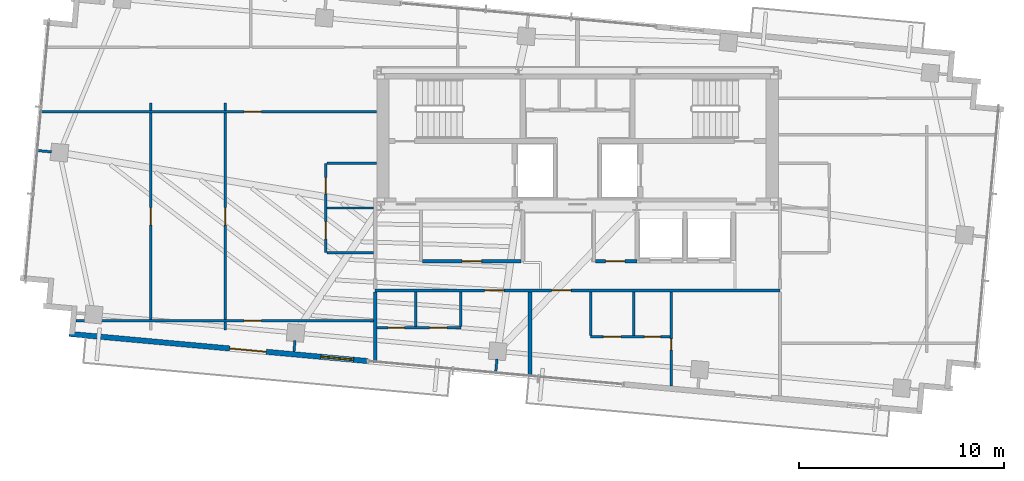
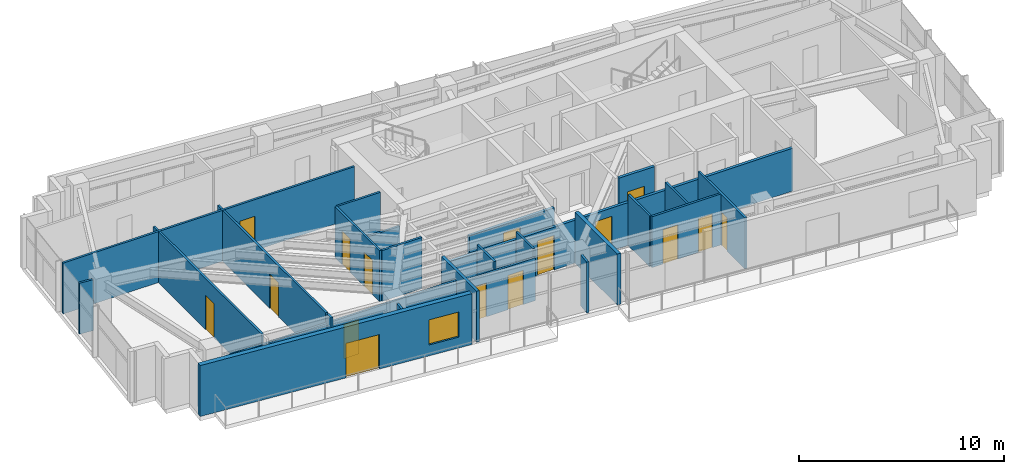
# One storey, part 16 of 22: 27 walls, 16 doors, 1 window, 17 openings.
"""IFC4 building model written with IfcOpenShell, lengths in metres."""

import ifcopenshell
import ifcopenshell.guid

model = None  # the IFC model being written
_history = None  # IfcOwnerHistory: only IFC2X3 demands one
_inside = {}  # id of a spatial element -> (the spatial element, [elements in it])
_under = {}  # id of a project, library or spatial element -> (it, [spatial elements below it])
_declared = {}  # id of a project -> (the project, [libraries it declares])
_typed = {}  # id of a type object -> (the type object, [elements of that type])
_made_of = {}  # id of a material, layer set ... -> (it, [elements and type objects made of it])


def new_model(schema):
    """Start an empty IFC model of exactly this schema.

    Asked for "IFC4X3", IfcOpenShell would pick the latest addendum, in which some entities
    have other attributes; the version numbers below select the first issue.
    IFC2X3 requires an IfcOwnerHistory on every rooted entity: one is made here for all.
    """
    global model, _history
    if schema == "IFC4X3":
        model = ifcopenshell.file(schema_version=(4, 3, 0, 0))
    else:
        model = ifcopenshell.file(schema=schema)
    _inside.clear()
    _under.clear()
    _declared.clear()
    _typed.clear()
    _made_of.clear()
    _history = None
    if model.schema == "IFC2X3":
        org = make("IfcOrganization", Name="unknown")
        user = make(
            "IfcPersonAndOrganization",
            ThePerson=make("IfcPerson", FamilyName="unknown"),
            TheOrganization=org,
        )
        app = make(
            "IfcApplication",
            ApplicationDeveloper=org,
            Version="unknown",
            ApplicationFullName="unknown",
            ApplicationIdentifier="unknown",
        )
        _history = make(
            "IfcOwnerHistory",
            OwningUser=user,
            OwningApplication=app,
            ChangeAction="ADDED",
            CreationDate=0,
        )
    return model


def make(cls, **values):
    """One entity of the class cls with the attributes given. An attribute that is None is left unset."""
    return model.create_entity(
        cls, **{name: value for name, value in values.items() if value is not None}
    )


def rooted(cls, **values):
    """An entity with a GlobalId (a new one), such as an element, a storey or a relation."""
    return make(cls, GlobalId=ifcopenshell.guid.new(), OwnerHistory=_history, **values)


def si_unit(unit_type, name, prefix=None):
    """IfcSIUnit, for example si_unit("LENGTHUNIT", "METRE", prefix="MILLI")."""
    return make("IfcSIUnit", UnitType=unit_type, Prefix=prefix, Name=name)


def assignment(units):
    """IfcUnitAssignment: the units of a project."""
    return None if units is None else make("IfcUnitAssignment", Units=units)


def point(xyz):
    """IfcCartesianPoint."""
    return None if xyz is None else make("IfcCartesianPoint", Coordinates=xyz)


def direction(xyz):
    """IfcDirection."""
    return None if xyz is None else make("IfcDirection", DirectionRatios=xyz)


def frame(location, z_axis=None, x_axis=None):
    """IfcAxis2Placement3D, a coordinate frame: its origin and axes. An axis left out is left unset."""
    return make(
        "IfcAxis2Placement3D",
        Location=point(location),
        Axis=direction(z_axis),
        RefDirection=direction(x_axis),
    )


def frame_2d(location, x_axis=None):
    """IfcAxis2Placement2D, a coordinate frame in the plane: its origin and x axis."""
    return make(
        "IfcAxis2Placement2D", Location=point(location), RefDirection=direction(x_axis)
    )


def origin():
    """The frame at (0, 0, 0) with its axes left unset."""
    return frame((0.0, 0.0, 0.0))


def place(relative_to, where):
    """IfcLocalPlacement: puts the frame where relative to a parent placement (None: the world)."""
    return make(
        "IfcLocalPlacement", PlacementRelTo=relative_to, RelativePlacement=where
    )


def context(
    kind, dimensions, precision=None, world=None, true_north=None, identifier=None
):
    """IfcGeometricRepresentationContext, for example the 3D "Model" context."""
    return make(
        "IfcGeometricRepresentationContext",
        ContextIdentifier=identifier,
        ContextType=kind,
        CoordinateSpaceDimension=dimensions,
        Precision=precision,
        WorldCoordinateSystem=world,
        TrueNorth=true_north,
    )


def subcontext(parent, identifier, kind, view, scale=None):
    """IfcGeometricRepresentationSubContext, for example "Body" below "Model"."""
    return make(
        "IfcGeometricRepresentationSubContext",
        ContextIdentifier=identifier,
        ContextType=kind,
        ParentContext=parent,
        TargetScale=scale,
        TargetView=view,
    )


def project(units=None, contexts=None):
    """IfcProject with its units and contexts."""
    return rooted(
        "IfcProject",
        Name="project",
        RepresentationContexts=contexts,
        UnitsInContext=assignment(units),
    )


def spatial(cls, under=None, at=None, **own):
    """A site, building, storey or space (cls), placed at a placement, below another one or the project."""
    s = rooted(cls, ObjectPlacement=at, **own)
    if under is not None:
        _under.setdefault(under.id(), (under, []))[1].append(s)
    return s


def profile(cls, at=None, kind="AREA", **sizes):
    """A parametric profile (cls). Its sizes go by their IFC names, for example OverallWidth=200.0."""
    return make(cls, ProfileType=kind, Position=at, **sizes)


def rectangle(**sizes):
    """IfcRectangleProfileDef."""
    return profile("IfcRectangleProfileDef", **sizes)


def extrude(swept, where, along, depth):
    """IfcExtrudedAreaSolid: the profile swept, set in the frame where, extruded along a direction by depth."""
    return make(
        "IfcExtrudedAreaSolid",
        SweptArea=swept,
        Position=where,
        ExtrudedDirection=direction(along),
        Depth=depth,
    )


def shape(context_of_items, identifier, shape_type, items):
    """IfcShapeRepresentation: the items that make up one representation, for example the "Body"."""
    return make(
        "IfcShapeRepresentation",
        ContextOfItems=context_of_items,
        RepresentationIdentifier=identifier,
        RepresentationType=shape_type,
        Items=items,
    )


def source(mapping_origin, context_of_items, identifier, shape_type, items):
    """IfcRepresentationMap: a shape defined once, which mapped items show again and again."""
    return make(
        "IfcRepresentationMap",
        MappingOrigin=mapping_origin,
        MappedRepresentation=shape(context_of_items, identifier, shape_type, items),
    )


def transform(
    local_origin,
    x_axis=None,
    y_axis=None,
    z_axis=None,
    scale=None,
    scale2=None,
    scale3=None,
    uniform=True,
):
    """IfcCartesianTransformationOperator3D, or its non-uniform kind. x_axis, y_axis, z_axis: its Axis1, 2, 3."""
    if uniform:
        return make(
            "IfcCartesianTransformationOperator3D",
            Axis1=direction(x_axis),
            Axis2=direction(y_axis),
            LocalOrigin=point(local_origin),
            Scale=scale,
            Axis3=direction(z_axis),
        )
    return make(
        "IfcCartesianTransformationOperator3DnonUniform",
        Axis1=direction(x_axis),
        Axis2=direction(y_axis),
        LocalOrigin=point(local_origin),
        Scale=scale,
        Axis3=direction(z_axis),
        Scale2=scale2,
        Scale3=scale3,
    )


def mapped(mapping_source, mapping_target):
    """IfcMappedItem: shows the shape of a source again, moved by a transform."""
    return make(
        "IfcMappedItem", MappingSource=mapping_source, MappingTarget=mapping_target
    )


def material(Name=None, Category=None):
    """IfcMaterial."""
    return make("IfcMaterial", Name=Name, Category=Category)


def layer(
    of_material, thickness, ventilated=None, Name=None, Category=None, Priority=None
):
    """IfcMaterialLayer: one layer of a wall or slab, of a material (None: an air gap)."""
    return make(
        "IfcMaterialLayer",
        Material=of_material,
        LayerThickness=thickness,
        IsVentilated=ventilated,
        Name=Name,
        Category=Category,
        Priority=Priority,
    )


def layer_set(layers, Name=None):
    """IfcMaterialLayerSet."""
    return make("IfcMaterialLayerSet", MaterialLayers=layers, LayerSetName=Name)


def made_of(thing, what):
    """Note that an element or type object is made of a material, layer set ...; save() writes the relation."""
    if what is not None:
        _made_of.setdefault(what.id(), (what, []))[1].append(thing)
    return thing


def type_object(cls, material=None, **own):
    """A type object (cls), such as IfcWallType, which elements share."""
    return made_of(rooted(cls, **own), material)


def type_shapes(of_type, sources):
    """Give a type object the sources (RepresentationMaps) that its elements show as mapped items."""
    of_type.RepresentationMaps = sources


def element(
    cls,
    number,
    at=None,
    inside=None,
    cuts=None,
    type_object=None,
    material=None,
    context=None,
    identifier="Body",
    shape_type=None,
    held_by="IfcProductDefinitionShape",
    body=None,
    shapes=None,
    **own,
):
    """One element of the class cls, such as IfcWall. Its Tag is "e" and its number.

    at: its placement. inside: the storey or other place that contains it. cuts: it is an
    opening in that element (IfcRelVoidsElement). A single representation is given by context,
    identifier, shape_type and body (its items); several are given by shapes. held_by: the class
    of the entity that holds the representations. save() writes the other relations.
    """
    e = rooted(cls, Tag="e%d" % number, ObjectPlacement=at, **own)
    if body is not None:
        shapes = [shape(context, identifier, shape_type, body)]
    if shapes is not None:
        e.Representation = make(held_by, Representations=shapes)
    if inside is not None:
        _inside.setdefault(inside.id(), (inside, []))[1].append(e)
    if cuts is not None:
        rooted(
            "IfcRelVoidsElement", RelatingBuildingElement=cuts, RelatedOpeningElement=e
        )
    if type_object is not None:
        _typed.setdefault(type_object.id(), (type_object, []))[1].append(e)
    return made_of(e, material)


def fill(opening, filler):
    """IfcRelFillsElement: the door or window that sits in an opening."""
    return rooted(
        "IfcRelFillsElement",
        RelatingOpeningElement=opening,
        RelatedBuildingElement=filler,
    )


def aggregate(whole, parts):
    """IfcRelAggregates: a whole, such as a stair, and the parts it consists of."""
    return rooted("IfcRelAggregates", RelatingObject=whole, RelatedObjects=parts)


def save(model, path):
    """Write the relations noted so far, then the file.

    IfcRelAggregates (storeys below a building ...), IfcRelContainedInSpatialStructure (elements
    in a storey), IfcRelDefinesByType, IfcRelAssociatesMaterial and IfcRelDeclares: one each for
    every whole, place, type object, material and project.
    """
    for whole, parts in _under.values():
        aggregate(whole, parts)
    for where, things in _inside.values():
        rooted(
            "IfcRelContainedInSpatialStructure",
            RelatedElements=things,
            RelatingStructure=where,
        )
    for kind, things in _typed.values():
        rooted("IfcRelDefinesByType", RelatedObjects=things, RelatingType=kind)
    for what, things in _made_of.values():
        rooted("IfcRelAssociatesMaterial", RelatedObjects=things, RelatingMaterial=what)
    for by, libraries in _declared.values():
        rooted("IfcRelDeclares", RelatingContext=by, RelatedDefinitions=libraries)
    model.write(path)


model = new_model("IFC4")

# Units and contexts
model_context = context("Model", 3, precision=1e-05, world=origin(), true_north=direction((0.0, 1.0)))
body_context = subcontext(model_context, "Body", "Model", "MODEL_VIEW")
ifc_project = project(units=[si_unit("LENGTHUNIT", "METRE"), si_unit("AREAUNIT", "SQUARE_METRE"), si_unit("VOLUMEUNIT", "CUBIC_METRE"), si_unit("PLANEANGLEUNIT", "RADIAN"), si_unit("MASSUNIT", "GRAM", prefix="KILO")], contexts=[model_context])

# Site, building, storey
site_placement = place(None, origin())
site = spatial("IfcSite", under=ifc_project, at=site_placement, CompositionType="ELEMENT")
building_placement = place(site_placement, origin())
building = spatial("IfcBuilding", under=site, at=building_placement, Name="Astriad Promenade Condominiums", CompositionType="ELEMENT")
storey_placement = place(building_placement, frame((0.0, 0.0, 219.89990234375)))
storey = spatial("IfcBuildingStorey", under=building, at=storey_placement, Name="L63", CompositionType="ELEMENT", Elevation=219.89990234375)

# Wall, openings, doors
ifc_material_1 = material(Name="Fire-Rated Gypsum Partition")
ifc_layer_1 = layer(ifc_material_1, 0.159912109375)
ifc_layer_set_1 = layer_set([ifc_layer_1], Name="Fire-Rated Gypsum Partition")
wall_type_1 = type_object("IfcWallType", Name="WALL-CORR-160", PredefinedType="PARTITIONING", material=ifc_layer_set_1)
wall_1_placement = place(storey_placement, frame((26.1201171875, 13.280029296875, 0.0), z_axis=(0.0, 0.0, 1.0), x_axis=(1.0, 0.0, 0.0)))
wall_1 = element("IfcWall", 1, at=wall_1_placement, inside=storey, type_object=wall_type_1, Name="PT-COR-S-L63", PredefinedType="PARTITIONING", context=body_context, shape_type="SweptSolid", body=[
    extrude(rectangle(XDim=19.759765625, YDim=0.159912109375, at=frame_2d((9.8798828125, 0.0))), origin(), (0.0, 0.0, 1.0), 2.555908203125),
])
opening_1_placement = place(wall_1_placement, frame((5.344970703125, 0.0, 0.0)))
opening_1 = element("IfcOpeningElement", 2, at=opening_1_placement, cuts=wall_1, Name="Opening FD60-APT-095", PredefinedType="OPENING", context=body_context, shape_type="SweptSolid", body=[
    extrude(rectangle(XDim=0.949951171875, YDim=2.06005859375, at=frame_2d((0.47509765625, 1.030029296875))), frame((0.0, 0.08984375, 0.0), z_axis=(0.0, -1.0, 0.0), x_axis=(1.0, 0.0, 0.0)), (0.0, 0.0, 1.0), 0.179931640625),
])
opening_2_placement = place(wall_1_placement, frame((8.612060546875, 0.0, 0.0)))
opening_2 = element("IfcOpeningElement", 3, at=opening_2_placement, cuts=wall_1, Name="Opening FD60-APT-095", PredefinedType="OPENING", context=body_context, shape_type="SweptSolid", body=[
    extrude(rectangle(XDim=0.949951171875, YDim=2.06005859375, at=frame_2d((0.47509765625, 1.030029296875))), frame((0.0, 0.08984375, 0.0), z_axis=(0.0, -1.0, 0.0), x_axis=(1.0, 0.0, 0.0)), (0.0, 0.0, 1.0), 0.179931640625),
])
ifc_material_2 = material(Name="Solid-Core Acoustic Timber Residence Entry Door", Category="wood")
door_type_1 = type_object("IfcDoorType", Name="FD60-APT-095", OperationType="NOTDEFINED", PredefinedType="DOOR", material=ifc_material_2)
shared_shape_1 = source(origin(), body_context, "Body", "SweptSolid", [
    extrude(rectangle(XDim=0.949951171875, YDim=2.06005859375, at=frame_2d((0.47509765625, 1.030029296875))), frame((0.0, 0.02490234375, 0.0), z_axis=(0.0, -1.0, 0.0), x_axis=(1.0, 0.0, 0.0)), (0.0, 0.0, 1.0), 0.050048828125),
])
type_shapes(door_type_1, [shared_shape_1])
door_1_placement = place(opening_1_placement, origin())
door_1 = element("IfcDoor", 4, at=door_1_placement, inside=storey, type_object=door_type_1, Name="D-ENT-L63-S1", OperationType="SINGLE_SWING_RIGHT", OverallHeight=2.06005859375, OverallWidth=0.949951171875, PredefinedType="DOOR", context=body_context, shape_type="MappedRepresentation", body=[
    mapped(shared_shape_1, transform((0.0, 0.0, 0.0), scale=1.0)),
])
fill(opening_1, door_1)
door_2_placement = place(opening_2_placement, origin())
door_2 = element("IfcDoor", 5, at=door_2_placement, inside=storey, type_object=door_type_1, Name="D-ENT-L63-S2", OperationType="SINGLE_SWING_LEFT", OverallHeight=2.06005859375, OverallWidth=0.949951171875, PredefinedType="DOOR", context=body_context, shape_type="MappedRepresentation", body=[
    mapped(shared_shape_1, transform((0.0, 0.0, 0.0), scale=1.0)),
])
fill(opening_2, door_2)

# Wall
wall_2_placement = place(storey_placement, frame((26.1201171875, 9.75146484375, 0.0), z_axis=(0.0, 0.0, 1.0), x_axis=(0.0, 1.0, 0.0)))
element("IfcWall", 6, at=wall_2_placement, inside=storey, type_object=wall_type_1, Name="PT-COR-W-L63", PredefinedType="PARTITIONING", context=body_context, shape_type="SweptSolid", body=[
    extrude(rectangle(XDim=3.446533203125, YDim=0.159912109375, at=frame_2d((1.72314453125, 0.0))), origin(), (0.0, 0.0, 1.0), 3.0400390625),
])

# Wall, opening, door
wall_3_placement = place(storey_placement, frame((28.44189453125, 14.699951171875, 0.0), z_axis=(0.0, 0.0, 1.0), x_axis=(1.0, 0.0, 0.0)))
wall_3 = element("IfcWall", 7, at=wall_3_placement, inside=storey, type_object=wall_type_1, Name="PT-Z3REC-S-L63", PredefinedType="PARTITIONING", context=body_context, shape_type="SweptSolid", body=[
    extrude(rectangle(XDim=4.796142578125, YDim=0.159912109375, at=frame_2d((2.39794921875, 0.0))), origin(), (0.0, 0.0, 1.0), 2.555908203125),
])
opening_3_placement = place(wall_3_placement, frame((1.923095703125, 0.0, 0.0)))
opening_3 = element("IfcOpeningElement", 8, at=opening_3_placement, cuts=wall_3, Name="Opening FD60-APT-095", PredefinedType="OPENING", context=body_context, shape_type="SweptSolid", body=[
    extrude(rectangle(XDim=0.949951171875, YDim=2.06005859375, at=frame_2d((0.47509765625, 1.030029296875))), frame((0.0, 0.08984375, 0.0), z_axis=(0.0, -1.0, 0.0), x_axis=(1.0, 0.0, 0.0)), (0.0, 0.0, 1.0), 0.179931640625),
])
door_3_placement = place(opening_3_placement, origin())
door_3 = element("IfcDoor", 9, at=door_3_placement, inside=storey, type_object=door_type_1, Name="D-Z3R-L63", OperationType="SINGLE_SWING_RIGHT", OverallHeight=2.06005859375, OverallWidth=0.949951171875, PredefinedType="DOOR", context=body_context, shape_type="MappedRepresentation", body=[
    mapped(shared_shape_1, transform((0.0, 0.0, 0.0), scale=1.0)),
])
fill(opening_3, door_3)

wall_4_placement = place(storey_placement, frame((36.882080078125, 14.699951171875, 0.0), z_axis=(0.0, 0.0, 1.0), x_axis=(1.0, 0.0, 0.0)))
wall_4 = element("IfcWall", 10, at=wall_4_placement, inside=storey, type_object=wall_type_1, Name="PT-Z3R2-S-L63", PredefinedType="PARTITIONING", context=body_context, shape_type="SweptSolid", body=[
    extrude(rectangle(XDim=2.017822265625, YDim=0.159912109375, at=frame_2d((1.0087890625, 0.0))), origin(), (0.0, 0.0, 1.0), 3.0400390625),
])
opening_4_placement = place(wall_4_placement, frame((0.48291015625, 0.0, 0.0)))
opening_4 = element("IfcOpeningElement", 11, at=opening_4_placement, cuts=wall_4, Name="Opening FD60-APT-095", PredefinedType="OPENING", context=body_context, shape_type="SweptSolid", body=[
    extrude(rectangle(XDim=0.949951171875, YDim=2.06005859375, at=frame_2d((0.47509765625, 1.030029296875))), frame((0.0, 0.08984375, 0.0), z_axis=(0.0, -1.0, 0.0), x_axis=(1.0, 0.0, 0.0)), (0.0, 0.0, 1.0), 0.179931640625),
])
door_4_placement = place(opening_4_placement, origin())
door_4 = element("IfcDoor", 12, at=door_4_placement, inside=storey, type_object=door_type_1, Name="D-Z3N-L63", OperationType="SINGLE_SWING_LEFT", OverallHeight=2.06005859375, OverallWidth=0.949951171875, PredefinedType="DOOR", context=body_context, shape_type="MappedRepresentation", body=[
    mapped(shared_shape_1, transform((0.0, 0.0, 0.0), scale=1.0)),
])
fill(opening_4, door_4)

# Wall
ifc_material_3 = material(Name="Acoustic Double-Stud Gypsum Partition")
ifc_layer_2 = layer(ifc_material_3, 0.199951171875)
ifc_layer_set_2 = layer_set([ifc_layer_2], Name="Acoustic Double-Stud Gypsum Partition")
wall_type_2 = type_object("IfcWallType", Name="WALL-DEMISING-200", PredefinedType="PARTITIONING", material=ifc_layer_set_2)
wall_5_placement = place(storey_placement, frame((33.678955078125, 9.0634765625, 0.0), z_axis=(0.0, 0.0, 1.0), x_axis=(0.0, 1.0, 0.0)))
element("IfcWall", 13, at=wall_5_placement, inside=storey, type_object=wall_type_2, Name="PT-DEM-S1-L63", PredefinedType="PARTITIONING", context=body_context, shape_type="SweptSolid", body=[
    extrude(rectangle(XDim=4.134521484375, YDim=0.199951171875, at=frame_2d((2.0673828125, 0.0))), origin(), (0.0, 0.0, 1.0), 3.0400390625),
])

# Wall, openings, door, window
ifc_material_4 = material(Name="Precast concrete C50/60", Category="concrete")
ifc_layer_3 = layer(ifc_material_4, 0.260009765625)
ifc_layer_set_3 = layer_set([ifc_layer_3], Name="Precast concrete C50/60")
wall_type_3 = type_object("IfcWallType", Name="WALL-EXT-TWR-260", PredefinedType="STANDARD", material=ifc_layer_set_3)
wall_6_placement = place(storey_placement, frame((25.760986328125, 9.83447265625, 0.0), z_axis=(0.0, 0.0, 1.0), x_axis=(-0.995884584572, 0.090630536861, 0.0)))
wall_6 = element("IfcWall", 14, at=wall_6_placement, inside=storey, type_object=wall_type_3, Name="W-EXT-L63-S2", PredefinedType="STANDARD", context=body_context, shape_type="SweptSolid", body=[
    extrude(rectangle(XDim=14.630126953125, YDim=0.260009765625, at=frame_2d((7.31494140625, 0.0))), origin(), (0.0, 0.0, 1.0), 3.0400390625),
])
opening_5_placement = place(wall_6_placement, frame((4.969970703125, 0.0, 0.0)))
opening_5 = element("IfcOpeningElement", 15, at=opening_5_placement, cuts=wall_6, Name="Opening BD-1822-SLD", PredefinedType="OPENING", context=body_context, shape_type="SweptSolid", body=[
    extrude(rectangle(XDim=1.800048828125, YDim=2.06005859375, at=frame_2d((0.89990234375, 1.030029296875))), frame((0.0, 0.139892578125, 0.0), z_axis=(0.0, -1.0, 0.0), x_axis=(1.0, 0.0, 0.0)), (0.0, 0.0, 1.0), 0.280029296875),
])
opening_6_placement = place(wall_6_placement, frame((0.699951171875, 0.0, 0.64990234375)))
opening_6 = element("IfcOpeningElement", 16, at=opening_6_placement, cuts=wall_6, Name="Opening WIN-TWR-1620", PredefinedType="OPENING", context=body_context, shape_type="SweptSolid", body=[
    extrude(rectangle(XDim=1.60009765625, YDim=1.5, at=frame_2d((0.800048828125, 0.75))), frame((0.0, 0.139892578125, 0.0), z_axis=(0.0, -1.0, 0.0), x_axis=(1.0, 0.0, 0.0)), (0.0, 0.0, 1.0), 0.280029296875),
])
ifc_material_5 = material(Name="Thermally Broken Aluminium Sliding Balcony Door", Category="aluminium")
door_type_2 = type_object("IfcDoorType", Name="BD-1822-SLD", OperationType="NOTDEFINED", PredefinedType="DOOR", material=ifc_material_5)
shared_shape_2 = source(origin(), body_context, "Body", "SweptSolid", [
    extrude(rectangle(XDim=1.800048828125, YDim=2.06005859375, at=frame_2d((0.89990234375, 1.030029296875))), frame((0.0, 0.02490234375, 0.0), z_axis=(0.0, -1.0, 0.0), x_axis=(1.0, 0.0, 0.0)), (0.0, 0.0, 1.0), 0.050048828125),
])
type_shapes(door_type_2, [shared_shape_2])
door_5_placement = place(opening_5_placement, origin())
door_5 = element("IfcDoor", 17, at=door_5_placement, inside=storey, type_object=door_type_2, Name="BD-L63-SW", OperationType="SLIDING_TO_LEFT", OverallHeight=2.06005859375, OverallWidth=1.800048828125, PredefinedType="DOOR", context=body_context, shape_type="MappedRepresentation", body=[
    mapped(shared_shape_2, transform((0.0, 0.0, 0.0), scale=1.0)),
])
fill(opening_5, door_5)
ifc_material_6 = material(Name="Dark Tinted Triple-Glazed Aluminium Window", Category="aluminium")
window_type = type_object("IfcWindowType", Name="WIN-TWR-1620", PartitioningType="SINGLE_PANEL", PredefinedType="WINDOW", material=ifc_material_6)
shared_shape_3 = source(origin(), body_context, "Body", "SweptSolid", [
    extrude(rectangle(XDim=1.60009765625, YDim=1.5, at=frame_2d((0.800048828125, 0.75))), frame((0.0, 0.030029296875, 0.0), z_axis=(0.0, -1.0, 0.0), x_axis=(1.0, 0.0, 0.0)), (0.0, 0.0, 1.0), 0.06005859375),
])
type_shapes(window_type, [shared_shape_3])
window_placement = place(opening_6_placement, origin())
window = element("IfcWindow", 18, at=window_placement, inside=storey, type_object=window_type, Name="WIN-L63-SW", OverallHeight=1.5, OverallWidth=1.60009765625, PartitioningType="SINGLE_PANEL", PredefinedType="WINDOW", context=body_context, shape_type="MappedRepresentation", body=[
    mapped(shared_shape_3, transform((0.0, 0.0, 0.0), scale=1.0)),
])
fill(opening_6, window)

# Wall, openings, doors
ifc_material_7 = material(Name="Acoustic Metal-Stud Gypsum Partition")
ifc_layer_4 = layer(ifc_material_7, 0.1201171875)
ifc_layer_set_4 = layer_set([ifc_layer_4], Name="Acoustic Metal-Stud Gypsum Partition")
wall_type_4 = type_object("IfcWallType", Name="WALL-PART-120", PredefinedType="PARTITIONING", material=ifc_layer_set_4)
wall_7_placement = place(storey_placement, frame((26.201904296875, 11.455078125, 0.0), z_axis=(0.0, 0.0, 1.0), x_axis=(1.0, 0.0, 0.0)))
wall_7 = element("IfcWall", 19, at=wall_7_placement, inside=storey, type_object=wall_type_4, Name="PT-L63-S1-PS", PredefinedType="PARTITIONING", context=body_context, shape_type="SweptSolid", body=[
    extrude(rectangle(XDim=4.09814453125, YDim=0.1201171875, at=frame_2d((2.049072265625, 0.0))), origin(), (0.0, 0.0, 1.0), 2.555908203125),
])
opening_7_placement = place(wall_7_placement, frame((0.548095703125, 0.0, 0.0)))
opening_7 = element("IfcOpeningElement", 20, at=opening_7_placement, cuts=wall_7, Name="Opening D-WET-080", PredefinedType="OPENING", context=body_context, shape_type="SweptSolid", body=[
    extrude(rectangle(XDim=0.800048828125, YDim=2.02001953125, at=frame_2d((0.39990234375, 1.010009765625))), frame((0.0, 0.070068359375, 0.0), z_axis=(0.0, -1.0, 0.0), x_axis=(1.0, 0.0, 0.0)), (0.0, 0.0, 1.0), 0.14013671875),
])
opening_8_placement = place(wall_7_placement, frame((2.572998046875, 0.0, 0.0)))
opening_8 = element("IfcOpeningElement", 21, at=opening_8_placement, cuts=wall_7, Name="Opening D-INT-085", PredefinedType="OPENING", context=body_context, shape_type="SweptSolid", body=[
    extrude(rectangle(XDim=0.85009765625, YDim=2.050048828125, at=frame_2d((0.425048828125, 1.02490234375))), frame((0.0, 0.070068359375, 0.0), z_axis=(0.0, -1.0, 0.0), x_axis=(1.0, 0.0, 0.0)), (0.0, 0.0, 1.0), 0.14013671875),
])
ifc_material_8 = material(Name="Moisture-Resistant Timber Bathroom Door", Category="wood")
door_type_3 = type_object("IfcDoorType", Name="D-WET-080", OperationType="NOTDEFINED", PredefinedType="DOOR", material=ifc_material_8)
shared_shape_4 = source(origin(), body_context, "Body", "SweptSolid", [
    extrude(rectangle(XDim=0.800048828125, YDim=2.02001953125, at=frame_2d((0.39990234375, 1.010009765625))), frame((0.0, 0.02490234375, 0.0), z_axis=(0.0, -1.0, 0.0), x_axis=(1.0, 0.0, 0.0)), (0.0, 0.0, 1.0), 0.050048828125),
])
type_shapes(door_type_3, [shared_shape_4])
door_6_placement = place(opening_7_placement, origin())
door_6 = element("IfcDoor", 22, at=door_6_placement, inside=storey, type_object=door_type_3, Name="D-BTH-L63-S1", OperationType="SINGLE_SWING_LEFT", OverallHeight=2.02001953125, OverallWidth=0.800048828125, PredefinedType="DOOR", context=body_context, shape_type="MappedRepresentation", body=[
    mapped(shared_shape_4, transform((0.0, 0.0, 0.0), scale=1.0)),
])
fill(opening_7, door_6)
ifc_material_9 = material(Name="Painted Solid-Core Timber Room Door", Category="wood")
door_type_4 = type_object("IfcDoorType", Name="D-INT-085", OperationType="NOTDEFINED", PredefinedType="DOOR", material=ifc_material_9)
shared_shape_5 = source(origin(), body_context, "Body", "SweptSolid", [
    extrude(rectangle(XDim=0.85009765625, YDim=2.050048828125, at=frame_2d((0.425048828125, 1.02490234375))), frame((0.0, 0.02490234375, 0.0), z_axis=(0.0, -1.0, 0.0), x_axis=(1.0, 0.0, 0.0)), (0.0, 0.0, 1.0), 0.050048828125),
])
type_shapes(door_type_4, [shared_shape_5])
door_7_placement = place(opening_8_placement, origin())
door_7 = element("IfcDoor", 23, at=door_7_placement, inside=storey, type_object=door_type_4, Name="D-KIT-L63-S1", OperationType="SINGLE_SWING_RIGHT", OverallHeight=2.050048828125, OverallWidth=0.85009765625, PredefinedType="DOOR", context=body_context, shape_type="MappedRepresentation", body=[
    mapped(shared_shape_5, transform((0.0, 0.0, 0.0), scale=1.0)),
])
fill(opening_8, door_7)

# Walls
for number, where, z_axis, x_axis, name in (
    (24, (30.300048828125, 11.51708984375, 0.0), (0.0, 0.0, 1.0), (0.0, 1.0, 0.0), "PT-L63-S1-PK"),
    (25, (28.10009765625, 11.51708984375, 0.0), (0.0, 0.0, 1.0), (0.0, 1.0, 0.0), "PT-L63-S1-PB"),
):
    element("IfcWall", number, at=place(storey_placement, frame(where, z_axis=z_axis, x_axis=x_axis)), inside=storey, type_object=wall_type_4, Name=name, PredefinedType="PARTITIONING", context=body_context, shape_type="SweptSolid", body=[
        extrude(rectangle(XDim=1.680908203125, YDim=0.1201171875, at=frame_2d((0.84033203125, 0.0))), origin(), (0.0, 0.0, 1.0), 3.0400390625),
    ])

# Wall, opening, door
wall_8_placement = place(storey_placement, frame((40.583984375, 8.617919921875, 0.0), z_axis=(0.0, 0.0, 1.0), x_axis=(0.0, 1.0, 0.0)))
wall_8 = element("IfcWall", 26, at=wall_8_placement, inside=storey, type_object=wall_type_4, Name="PT-L63-S2-BD1", PredefinedType="PARTITIONING", context=body_context, shape_type="SweptSolid", body=[
    extrude(rectangle(XDim=4.580078125, YDim=0.1201171875, at=frame_2d((2.2900390625, 0.0))), origin(), (0.0, 0.0, 1.0), 3.0400390625),
])
opening_9_placement = place(wall_8_placement, frame((1.7470703125, 0.0, 0.0)))
opening_9 = element("IfcOpeningElement", 27, at=opening_9_placement, cuts=wall_8, Name="Opening D-AC-055", PredefinedType="OPENING", context=body_context, shape_type="SweptSolid", body=[
    extrude(rectangle(XDim=0.550048828125, YDim=2.0, at=frame_2d((0.27490234375, 1.0))), frame((0.0, 0.070068359375, 0.0), z_axis=(0.0, -1.0, 0.0), x_axis=(1.0, 0.0, 0.0)), (0.0, 0.0, 1.0), 0.14013671875),
])
ifc_material_10 = material(Name="Painted Timber Access Door", Category="wood")
door_type_5 = type_object("IfcDoorType", Name="D-AC-055", OperationType="NOTDEFINED", PredefinedType="DOOR", material=ifc_material_10)
shared_shape_6 = source(origin(), body_context, "Body", "SweptSolid", [
    extrude(rectangle(XDim=0.550048828125, YDim=2.0, at=frame_2d((0.27490234375, 1.0))), frame((0.0, 0.02490234375, 0.0), z_axis=(0.0, -1.0, 0.0), x_axis=(1.0, 0.0, 0.0)), (0.0, 0.0, 1.0), 0.050048828125),
])
type_shapes(door_type_5, [shared_shape_6])
door_8_placement = place(opening_9_placement, origin())
door_8 = element("IfcDoor", 28, at=door_8_placement, inside=storey, type_object=door_type_5, Name="D-BD1-L63-S2", OperationType="SINGLE_SWING_RIGHT", OverallHeight=2.0, OverallWidth=0.550048828125, PredefinedType="DOOR", context=body_context, shape_type="MappedRepresentation", body=[
    mapped(shared_shape_6, transform((0.0, 0.0, 0.0), scale=1.0)),
])
fill(opening_9, door_8)

# Wall, openings, doors
wall_9_placement = place(storey_placement, frame((36.634033203125, 11.030029296875, 0.0), z_axis=(0.0, 0.0, 1.0), x_axis=(1.0, 0.0, 0.0)))
wall_9 = element("IfcWall", 29, at=wall_9_placement, inside=storey, type_object=wall_type_4, Name="PT-L63-S2-PS", PredefinedType="PARTITIONING", context=body_context, shape_type="SweptSolid", body=[
    extrude(rectangle(XDim=3.887939453125, YDim=0.1201171875, at=frame_2d((1.94384765625, 0.0))), origin(), (0.0, 0.0, 1.0), 3.0400390625),
])
opening_10_placement = place(wall_9_placement, frame((0.625, 0.0, 0.0)))
opening_10 = element("IfcOpeningElement", 30, at=opening_10_placement, cuts=wall_9, Name="Opening D-INT-085", PredefinedType="OPENING", context=body_context, shape_type="SweptSolid", body=[
    extrude(rectangle(XDim=0.85009765625, YDim=2.050048828125, at=frame_2d((0.425048828125, 1.02490234375))), frame((0.0, 0.070068359375, 0.0), z_axis=(0.0, -1.0, 0.0), x_axis=(1.0, 0.0, 0.0)), (0.0, 0.0, 1.0), 0.14013671875),
])
opening_11_placement = place(wall_9_placement, frame((2.625, 0.0, 0.0)))
opening_11 = element("IfcOpeningElement", 31, at=opening_11_placement, cuts=wall_9, Name="Opening D-WET-080", PredefinedType="OPENING", context=body_context, shape_type="SweptSolid", body=[
    extrude(rectangle(XDim=0.800048828125, YDim=2.02001953125, at=frame_2d((0.39990234375, 1.010009765625))), frame((0.0, 0.070068359375, 0.0), z_axis=(0.0, -1.0, 0.0), x_axis=(1.0, 0.0, 0.0)), (0.0, 0.0, 1.0), 0.14013671875),
])
door_9_placement = place(opening_11_placement, origin())
door_9 = element("IfcDoor", 32, at=door_9_placement, inside=storey, type_object=door_type_3, Name="D-BTH-L63-S2", OperationType="SINGLE_SWING_RIGHT", OverallHeight=2.02001953125, OverallWidth=0.800048828125, PredefinedType="DOOR", context=body_context, shape_type="MappedRepresentation", body=[
    mapped(shared_shape_4, transform((0.0, 0.0, 0.0), scale=1.0)),
])
fill(opening_11, door_9)
door_10_placement = place(opening_10_placement, origin())
door_10 = element("IfcDoor", 33, at=door_10_placement, inside=storey, type_object=door_type_4, Name="D-KIT-L63-S2", OperationType="SINGLE_SWING_LEFT", OverallHeight=2.050048828125, OverallWidth=0.85009765625, PredefinedType="DOOR", context=body_context, shape_type="MappedRepresentation", body=[
    mapped(shared_shape_5, transform((0.0, 0.0, 0.0), scale=1.0)),
])
fill(opening_10, door_10)

# Walls
for number, where, z_axis, x_axis, name in (
    (34, (38.73388671875, 11.092041015625, 0.0), (0.0, 0.0, 1.0), (0.0, 1.0, 0.0), "PT-L63-S2-PBK"),
    (35, (36.634033203125, 11.092041015625, 0.0), (0.0, 0.0, 1.0), (0.0, 1.0, 0.0), "PT-L63-S2-PKW"),
):
    element("IfcWall", number, at=place(storey_placement, frame(where, z_axis=z_axis, x_axis=x_axis)), inside=storey, type_object=wall_type_4, Name=name, PredefinedType="PARTITIONING", context=body_context, shape_type="SweptSolid", body=[
        extrude(rectangle(XDim=2.10595703125, YDim=0.1201171875, at=frame_2d((1.052978515625, 0.0))), origin(), (0.0, 0.0, 1.0), 3.0400390625),
    ])

# Wall, openings, doors
wall_10_placement = place(storey_placement, frame((23.719970703125, 15.1298828125, 0.0), z_axis=(0.0, 0.0, 1.0), x_axis=(0.0, 1.0, 0.0)))
wall_10 = element("IfcWall", 36, at=wall_10_placement, inside=storey, type_object=wall_type_4, Name="PT-L63-W1-PV", PredefinedType="PARTITIONING", context=body_context, shape_type="SweptSolid", body=[
    extrude(rectangle(XDim=4.35009765625, YDim=0.1201171875, at=frame_2d((2.175048828125, 0.0))), origin(), (0.0, 0.0, 1.0), 3.0400390625),
])
opening_12_placement = place(wall_10_placement, frame((0.6630859375, 0.0, 0.0)))
opening_12 = element("IfcOpeningElement", 37, at=opening_12_placement, cuts=wall_10, Name="Opening D-INT-085", PredefinedType="OPENING", context=body_context, shape_type="SweptSolid", body=[
    extrude(rectangle(XDim=0.85009765625, YDim=2.050048828125, at=frame_2d((0.425048828125, 1.02490234375))), frame((0.0, 0.070068359375, 0.0), z_axis=(0.0, -1.0, 0.0), x_axis=(1.0, 0.0, 0.0)), (0.0, 0.0, 1.0), 0.14013671875),
])
opening_13_placement = place(wall_10_placement, frame((2.862060546875, 0.0, 0.0)))
opening_13 = element("IfcOpeningElement", 38, at=opening_13_placement, cuts=wall_10, Name="Opening D-WET-080", PredefinedType="OPENING", context=body_context, shape_type="SweptSolid", body=[
    extrude(rectangle(XDim=0.800048828125, YDim=2.02001953125, at=frame_2d((0.39990234375, 1.010009765625))), frame((0.0, 0.070068359375, 0.0), z_axis=(0.0, -1.0, 0.0), x_axis=(1.0, 0.0, 0.0)), (0.0, 0.0, 1.0), 0.14013671875),
])
door_11_placement = place(opening_13_placement, origin())
door_11 = element("IfcDoor", 39, at=door_11_placement, inside=storey, type_object=door_type_3, Name="D-BTH-L63-W1", OperationType="SINGLE_SWING_LEFT", OverallHeight=2.02001953125, OverallWidth=0.800048828125, PredefinedType="DOOR", context=body_context, shape_type="MappedRepresentation", body=[
    mapped(shared_shape_4, transform((0.0, 0.0, 0.0), scale=1.0)),
])
fill(opening_13, door_11)
door_12_placement = place(opening_12_placement, origin())
door_12 = element("IfcDoor", 40, at=door_12_placement, inside=storey, type_object=door_type_4, Name="D-KIT-L63-W1", OperationType="SINGLE_SWING_RIGHT", OverallHeight=2.050048828125, OverallWidth=0.85009765625, PredefinedType="DOOR", context=body_context, shape_type="MappedRepresentation", body=[
    mapped(shared_shape_5, transform((0.0, 0.0, 0.0), scale=1.0)),
])
fill(opening_12, door_12)

# Walls
wall_11_placement = place(storey_placement, frame((23.781982421875, 17.304931640625, 0.0), z_axis=(0.0, 0.0, 1.0), x_axis=(1.0, 0.0, 0.0)))
element("IfcWall", 41, at=wall_11_placement, inside=storey, type_object=wall_type_4, Name="PT-L63-W1-PM", PredefinedType="PARTITIONING", context=body_context, shape_type="SweptSolid", body=[
    extrude(rectangle(XDim=2.256103515625, YDim=0.1201171875, at=frame_2d((1.1279296875, 0.0))), origin(), (0.0, 0.0, 1.0), 2.381591796875),
])
wall_12_placement = place(storey_placement, frame((23.781982421875, 15.1298828125, 0.0), z_axis=(0.0, 0.0, 1.0), x_axis=(1.0, 0.0, 0.0)))
element("IfcWall", 42, at=wall_12_placement, inside=storey, type_object=wall_type_4, Name="PT-L63-W1-PS", PredefinedType="PARTITIONING", context=body_context, shape_type="SweptSolid", body=[
    extrude(rectangle(XDim=2.256103515625, YDim=0.1201171875, at=frame_2d((1.1279296875, 0.0))), origin(), (0.0, 0.0, 1.0), 3.0400390625),
])
wall_13_placement = place(storey_placement, frame((23.781982421875, 19.47998046875, 0.0), z_axis=(0.0, 0.0, 1.0), x_axis=(1.0, 0.0, 0.0)))
element("IfcWall", 43, at=wall_13_placement, inside=storey, type_object=wall_type_4, Name="PT-L63-W1-PN", PredefinedType="PARTITIONING", context=body_context, shape_type="SweptSolid", body=[
    extrude(rectangle(XDim=2.416015625, YDim=0.1201171875, at=frame_2d((1.2080078125, 0.0))), origin(), (0.0, 0.0, 1.0), 3.0400390625),
])

# Wall, opening, door
wall_14_placement = place(storey_placement, frame((9.747802734375, 22.0009765625, 0.0), z_axis=(0.0, 0.0, 1.0), x_axis=(1.0, 0.0, 0.0)))
wall_14 = element("IfcWall", 44, at=wall_14_placement, inside=storey, type_object=wall_type_4, Name="PT-L63-W1-WDN1", PredefinedType="PARTITIONING", context=body_context, shape_type="SweptSolid", body=[
    extrude(rectangle(XDim=16.4501953125, YDim=0.1201171875, at=frame_2d((8.22509765625, 0.0))), origin(), (0.0, 0.0, 1.0), 3.0400390625),
])
opening_14_placement = place(wall_14_placement, frame((9.97412109375, 0.0, 0.0)))
opening_14 = element("IfcOpeningElement", 45, at=opening_14_placement, cuts=wall_14, Name="Opening D-INT-085", PredefinedType="OPENING", context=body_context, shape_type="SweptSolid", body=[
    extrude(rectangle(XDim=0.85009765625, YDim=2.050048828125, at=frame_2d((0.425048828125, 1.02490234375))), frame((0.0, 0.070068359375, 0.0), z_axis=(0.0, -1.0, 0.0), x_axis=(1.0, 0.0, 0.0)), (0.0, 0.0, 1.0), 0.14013671875),
])
door_13_placement = place(opening_14_placement, origin())
door_13 = element("IfcDoor", 46, at=door_13_placement, inside=storey, type_object=door_type_4, Name="D-WDN1-L63-W1", OperationType="SINGLE_SWING_LEFT", OverallHeight=2.050048828125, OverallWidth=0.85009765625, PredefinedType="DOOR", context=body_context, shape_type="MappedRepresentation", body=[
    mapped(shared_shape_5, transform((0.0, 0.0, 0.0), scale=1.0)),
])
fill(opening_14, door_13)

wall_15_placement = place(storey_placement, frame((11.51220703125, 11.7958984375, 0.0), z_axis=(0.0, 0.0, 1.0), x_axis=(1.0, 0.0, 0.0)))
wall_15 = element("IfcWall", 47, at=wall_15_placement, inside=storey, type_object=wall_type_4, Name="PT-L63-W1-WDS2", PredefinedType="PARTITIONING", context=body_context, shape_type="SweptSolid", body=[
    extrude(rectangle(XDim=14.52587890625, YDim=0.1201171875, at=frame_2d((7.262939453125, 0.0))), origin(), (0.0, 0.0, 1.0), 2.482666015625),
])
opening_15_placement = place(wall_15_placement, frame((8.209716796875, 0.0, 0.0)))
opening_15 = element("IfcOpeningElement", 48, at=opening_15_placement, cuts=wall_15, Name="Opening D-INT-085", PredefinedType="OPENING", context=body_context, shape_type="SweptSolid", body=[
    extrude(rectangle(XDim=0.85009765625, YDim=2.050048828125, at=frame_2d((0.425048828125, 1.02490234375))), frame((0.0, 0.070068359375, 0.0), z_axis=(0.0, -1.0, 0.0), x_axis=(1.0, 0.0, 0.0)), (0.0, 0.0, 1.0), 0.14013671875),
])
door_14_placement = place(opening_15_placement, origin())
door_14 = element("IfcDoor", 49, at=door_14_placement, inside=storey, type_object=door_type_4, Name="D-WDS2-L63-W1", OperationType="SINGLE_SWING_RIGHT", OverallHeight=2.050048828125, OverallWidth=0.85009765625, PredefinedType="DOOR", context=body_context, shape_type="MappedRepresentation", body=[
    mapped(shared_shape_5, transform((0.0, 0.0, 0.0), scale=1.0)),
])
fill(opening_15, door_14)

wall_16_placement = place(storey_placement, frame((15.172119140625, 11.85791015625, 0.0), z_axis=(0.0, 0.0, 1.0), x_axis=(0.0, 1.0, 0.0)))
wall_16 = element("IfcWall", 50, at=wall_16_placement, inside=storey, type_object=wall_type_4, Name="PT-L63-W1-WDV3-S2", PredefinedType="PARTITIONING", context=body_context, shape_type="SweptSolid", body=[
    extrude(rectangle(XDim=10.0810546875, YDim=0.1201171875, at=frame_2d((5.04052734375, 0.0))), origin(), (0.0, 0.0, 1.0), 3.0400390625),
])
opening_16_placement = place(wall_16_placement, frame((4.614990234375, 0.0, 0.0)))
opening_16 = element("IfcOpeningElement", 51, at=opening_16_placement, cuts=wall_16, Name="Opening D-INT-085", PredefinedType="OPENING", context=body_context, shape_type="SweptSolid", body=[
    extrude(rectangle(XDim=0.85009765625, YDim=2.050048828125, at=frame_2d((0.425048828125, 1.02490234375))), frame((0.0, 0.070068359375, 0.0), z_axis=(0.0, -1.0, 0.0), x_axis=(1.0, 0.0, 0.0)), (0.0, 0.0, 1.0), 0.14013671875),
])
door_15_placement = place(opening_16_placement, origin())
door_15 = element("IfcDoor", 52, at=door_15_placement, inside=storey, type_object=door_type_4, Name="D-WDV3-L63-W1", OperationType="SINGLE_SWING_LEFT", OverallHeight=2.050048828125, OverallWidth=0.85009765625, PredefinedType="DOOR", context=body_context, shape_type="MappedRepresentation", body=[
    mapped(shared_shape_5, transform((0.0, 0.0, 0.0), scale=1.0)),
])
fill(opening_16, door_15)

# Walls
for number, where, z_axis, x_axis, name in (
    (53, (15.172119140625, 22.06298828125, 0.0), (0.0, 0.0, 1.0), (0.0, 1.0, 0.0), "PT-L63-W1-WDV3-S3"),
    (54, (18.797119140625, 11.35595703125, 0.0), (0.0, 0.0, 1.0), (0.0, 1.0, 0.0), "PT-L63-W1-WDV4"),
):
    element("IfcWall", number, at=place(storey_placement, frame(where, z_axis=z_axis, x_axis=x_axis)), inside=storey, type_object=wall_type_4, Name=name, PredefinedType="PARTITIONING", context=body_context, shape_type="SweptSolid", body=[
        extrude(rectangle(XDim=0.3779296875, YDim=0.1201171875, at=frame_2d((0.18896484375, 0.0))), origin(), (0.0, 0.0, 1.0), 3.0400390625),
    ])

# Wall, opening, door
wall_17_placement = place(storey_placement, frame((18.797119140625, 11.85791015625, 0.0), z_axis=(0.0, 0.0, 1.0), x_axis=(0.0, 1.0, 0.0)))
wall_17 = element("IfcWall", 55, at=wall_17_placement, inside=storey, type_object=wall_type_4, Name="PT-L63-W1-WDV4-S2", PredefinedType="PARTITIONING", context=body_context, shape_type="SweptSolid", body=[
    extrude(rectangle(XDim=10.0810546875, YDim=0.1201171875, at=frame_2d((5.04052734375, 0.0))), origin(), (0.0, 0.0, 1.0), 3.0400390625),
])
opening_17_placement = place(wall_17_placement, frame((4.614990234375, 0.0, 0.0)))
opening_17 = element("IfcOpeningElement", 56, at=opening_17_placement, cuts=wall_17, Name="Opening D-INT-085", PredefinedType="OPENING", context=body_context, shape_type="SweptSolid", body=[
    extrude(rectangle(XDim=0.85009765625, YDim=2.050048828125, at=frame_2d((0.425048828125, 1.02490234375))), frame((0.0, 0.070068359375, 0.0), z_axis=(0.0, -1.0, 0.0), x_axis=(1.0, 0.0, 0.0)), (0.0, 0.0, 1.0), 0.14013671875),
])
door_16_placement = place(opening_17_placement, origin())
door_16 = element("IfcDoor", 57, at=door_16_placement, inside=storey, type_object=door_type_4, Name="D-WDV4-L63-W1", OperationType="SINGLE_SWING_RIGHT", OverallHeight=2.050048828125, OverallWidth=0.85009765625, PredefinedType="DOOR", context=body_context, shape_type="MappedRepresentation", body=[
    mapped(shared_shape_5, transform((0.0, 0.0, 0.0), scale=1.0)),
])
fill(opening_17, door_16)

# Walls
wall_18_placement = place(storey_placement, frame((18.797119140625, 22.06298828125, 0.0), z_axis=(0.0, 0.0, 1.0), x_axis=(0.0, 1.0, 0.0)))
element("IfcWall", 58, at=wall_18_placement, inside=storey, type_object=wall_type_4, Name="PT-L63-W1-WDV4-S3", PredefinedType="PARTITIONING", context=body_context, shape_type="SweptSolid", body=[
    extrude(rectangle(XDim=0.3779296875, YDim=0.1201171875, at=frame_2d((0.18896484375, 0.0))), origin(), (0.0, 0.0, 1.0), 3.0400390625),
])
wall_19_placement = place(storey_placement, frame((22.206787109375, 10.83056640625, 0.0), z_axis=(0.0, 0.0, 1.0), x_axis=(-0.090781299264, -0.995870852924, 0.0)))
element("IfcWall", 59, at=wall_19_placement, inside=storey, type_object=wall_type_4, Name="PT-PIL-L63-PC02-9", PredefinedType="PARTITIONING", context=body_context, shape_type="SweptSolid", body=[
    extrude(rectangle(XDim=0.537841796875, YDim=0.1201171875, at=frame_2d((0.26904296875, 0.0))), origin(), (0.0, 0.0, 1.0), 3.0400390625),
])
wall_20_placement = place(storey_placement, frame((32.06591796875, 9.933349609375, 0.0), z_axis=(0.0, 0.0, 1.0), x_axis=(-0.090872036342, -0.995862577373, 0.0)))
element("IfcWall", 60, at=wall_20_placement, inside=storey, type_object=wall_type_4, Name="PT-PIL-L63-PC03-10", PredefinedType="PARTITIONING", context=body_context, shape_type="SweptSolid", body=[
    extrude(rectangle(XDim=0.719970703125, YDim=0.1201171875, at=frame_2d((0.35986328125, 0.0))), origin(), (0.0, 0.0, 1.0), 3.0400390625),
])
wall_21_placement = place(storey_placement, frame((10.3330078125, 20.044677734375, 0.0), z_axis=(0.0, 0.0, 1.0), x_axis=(-0.995890573658, 0.09056470228, 0.0)))
element("IfcWall", 61, at=wall_21_placement, inside=storey, type_object=wall_type_4, Name="PT-PIL-L63-PC11-18", PredefinedType="PARTITIONING", context=body_context, shape_type="SweptSolid", body=[
    extrude(rectangle(XDim=0.76025390625, YDim=0.1201171875, at=frame_2d((0.380126953125, 0.0))), origin(), (0.0, 0.0, 1.0), 3.0400390625),
])

save(model, "model.ifc")
